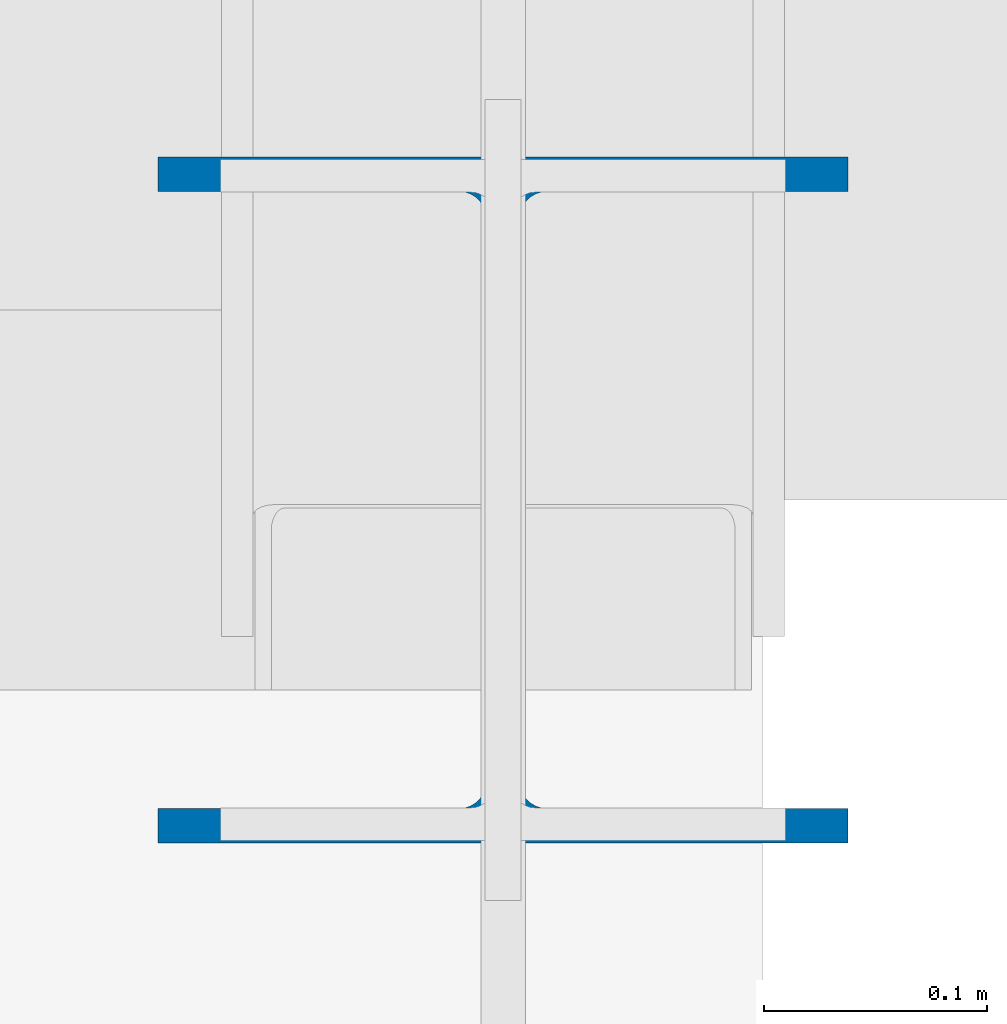
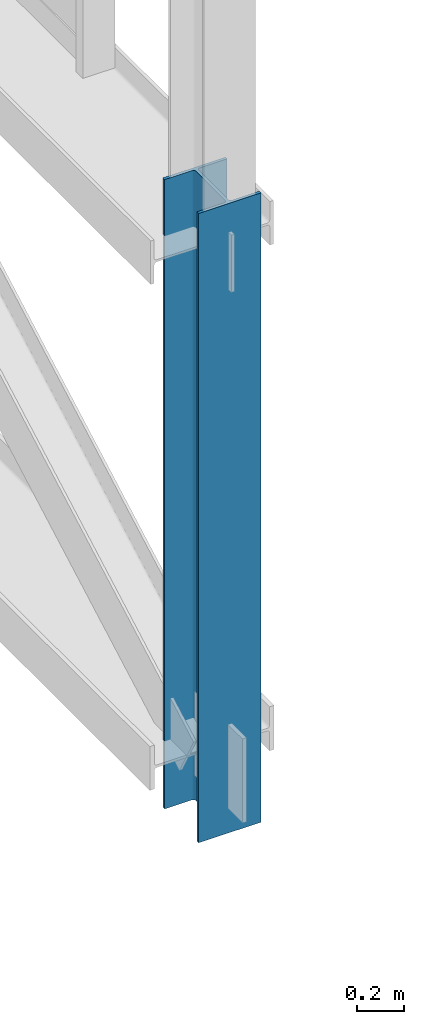
# One storey, part 5 of 101: 1 column.
"""IFC4 building model written with IfcOpenShell, lengths in metres."""

from ifc_helpers import new_model, si_unit, direction, frame, origin, origin_2d, place, context, subcontext, project, spatial, i_section, extrude, material, material_profile, profile_set, type_object, element, save


model = new_model("IFC4")

# Units and contexts
model_context = context("Model", 3, precision=1e-05, world=origin(), true_north=direction((0.0, 1.0)))
body_context = subcontext(model_context, "Body", "Model", "MODEL_VIEW")
ifc_project = project(units=[si_unit("LENGTHUNIT", "METRE"), si_unit("AREAUNIT", "SQUARE_METRE"), si_unit("VOLUMEUNIT", "CUBIC_METRE"), si_unit("PLANEANGLEUNIT", "RADIAN"), si_unit("MASSUNIT", "GRAM", prefix="KILO"), si_unit("THERMODYNAMICTEMPERATUREUNIT", "KELVIN")], contexts=[model_context])

# Site, building, storey
site_placement = place(None, origin())
site = spatial("IfcSite", under=ifc_project, at=site_placement, CompositionType="ELEMENT")
building_placement = place(site_placement, origin())
building = spatial("IfcBuilding", under=site, at=building_placement, Name="Thalorik Housing Commons", CompositionType="ELEMENT")
storey_placement = place(building_placement, frame((0.0, 0.0, 8.10009765625)))
storey = spatial("IfcBuildingStorey", under=building, at=storey_placement, Name="L02", CompositionType="ELEMENT", Elevation=8.10009765625)

# Column
ifc_material = material(Name="Steel S355", Category="steel")
ifc_material_profile = material_profile(ifc_material, i_section(OverallWidth=0.31005859375, OverallDepth=0.30810546875, WebThickness=0.015380859375, FlangeThickness=0.015380859375, FilletRadius=0.011962890625, at=origin_2d()), Name="HP310x110", Category="steel")
ifc_profile_set = profile_set([ifc_material_profile], Name="Steel S355")
column_type = type_object("IfcColumnType", Name="STR-COL-HP310", PredefinedType="COLUMN", material=ifc_profile_set)
column_placement = place(storey_placement, frame((115.199951171875, 57.60009765625, 0.0), z_axis=(0.0, 0.0, 1.0), x_axis=(1.0, 0.0, 0.0)))
element("IfcColumn", 1, at=column_placement, inside=storey, type_object=column_type, Name="L02 Hall Sawtooth Bearing Column 8S", PredefinedType="COLUMN", context=body_context, shape_type="SweptSolid", body=[
    extrude(i_section(OverallWidth=0.31005859375, OverallDepth=0.30810546875, WebThickness=0.015380859375, FlangeThickness=0.015380859375, FilletRadius=0.011962890625, at=origin_2d()), origin(), (0.0, 0.0, 1.0), 3.2998046875),
])

save(model, "model.ifc")
